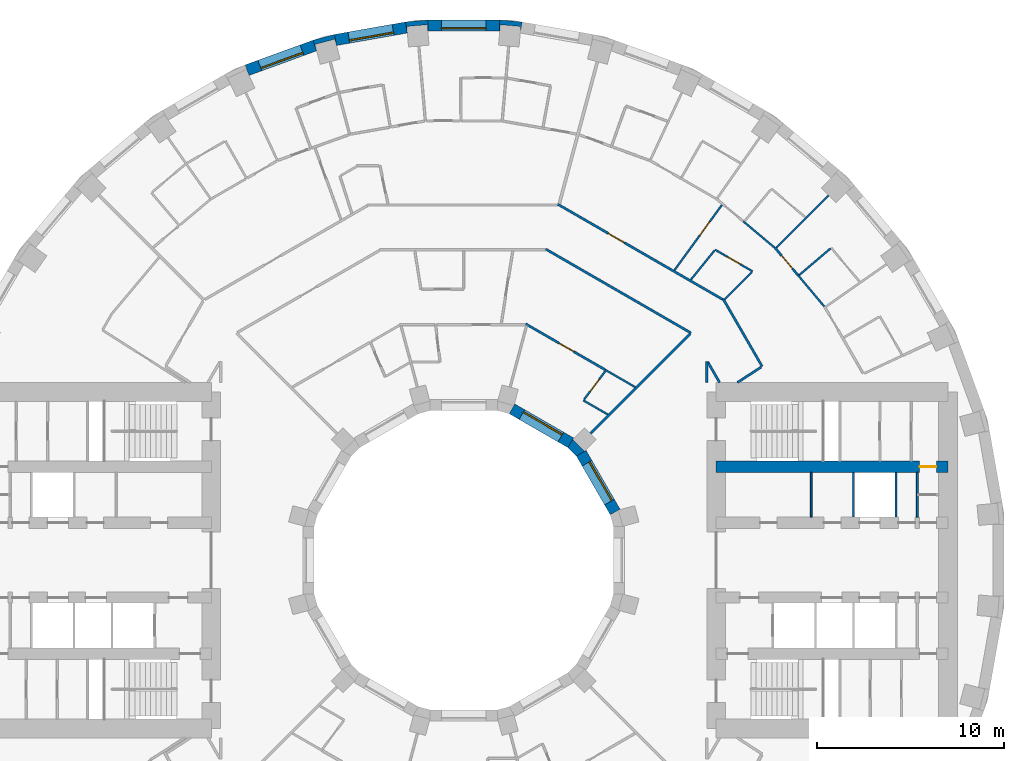
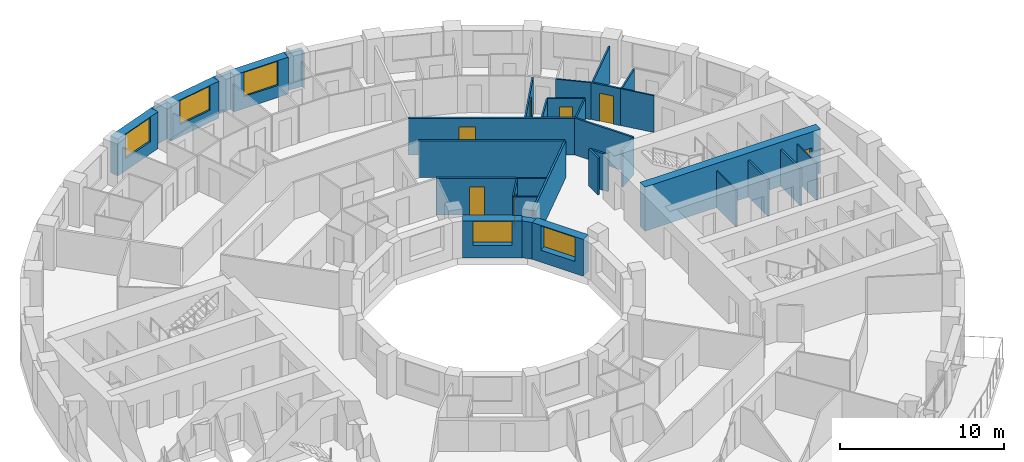
# One storey, part 13 of 16: 34 walls, 7 doors, 5 windows, 12 openings.
"""IFC4 building model written with IfcOpenShell, lengths in metres."""

from ifc_helpers import new_model, si_unit, direction, frame, frame_2d, origin, place, context, subcontext, project, spatial, polyline, rectangle, outline, extrude, material, layer, layer_set, type_object, element, fill, save


model = new_model("IFC4")

# Units and contexts
model_context = context("Model", 3, precision=1e-05, world=origin(), true_north=direction((0.0, 1.0)))
body_context = subcontext(model_context, "Body", "Model", "MODEL_VIEW")
ifc_project = project(units=[si_unit("LENGTHUNIT", "METRE"), si_unit("AREAUNIT", "SQUARE_METRE"), si_unit("VOLUMEUNIT", "CUBIC_METRE"), si_unit("PLANEANGLEUNIT", "RADIAN"), si_unit("MASSUNIT", "GRAM", prefix="KILO")], contexts=[model_context])

# Site, building, storey
site_placement = place(None, origin())
site = spatial("IfcSite", under=ifc_project, at=site_placement, CompositionType="ELEMENT")
building_placement = place(site_placement, origin())
building = spatial("IfcBuilding", under=site, at=building_placement, Name="Saqina Gate Tower", CompositionType="ELEMENT")
storey_placement = place(building_placement, frame((0.0, 0.0, 26.300048828125)))
storey = spatial("IfcBuildingStorey", under=building, at=storey_placement, Name="L06", CompositionType="ELEMENT", Elevation=26.300048828125)

# Walls
ifc_material_1 = material(Name="Brick masonry (red)", Category="masonry")
wall_type_1 = type_object("IfcWallType", Name="BRICK PIER COPING RED", PredefinedType="SOLIDWALL", material=ifc_material_1)
wall_1_placement = place(storey_placement, origin())
element("IfcWall", 1, at=wall_1_placement, inside=storey, type_object=wall_type_1, Name="Pier cap L06 column 9", PredefinedType="SOLIDWALL", context=body_context, shape_type="SweptSolid", body=[
    extrude(outline(polyline([(3.122802734375, 28.78466796875), (1.9228515625, 28.8896484375), (1.9228515625, 28.28955078125), (1.95361328125, 28.638671875), (3.04931640625, 28.54296875), (3.018798828125, 28.19384765625), (3.122802734375, 28.78466796875)])), origin(), (0.0, 0.0, 1.0), 2.75),
])
wall_2_placement = place(storey_placement, origin())
element("IfcWall", 2, at=wall_2_placement, inside=storey, type_object=wall_type_1, Name="Pier cap L06 column 10", PredefinedType="SOLIDWALL", context=body_context, shape_type="SweptSolid", body=[
    extrude(outline(polyline([(-1.9228515625, 28.8896484375), (-3.122802734375, 28.78466796875), (-3.018798828125, 28.19384765625), (-3.04931640625, 28.54296875), (-1.95361328125, 28.638671875), (-1.9228515625, 28.28955078125), (-1.9228515625, 28.8896484375)])), origin(), (0.0, 0.0, 1.0), 2.75),
])
wall_3_placement = place(storey_placement, origin())
element("IfcWall", 3, at=wall_3_placement, inside=storey, type_object=wall_type_1, Name="Pier cap L06 column 11", PredefinedType="SOLIDWALL", context=body_context, shape_type="SweptSolid", body=[
    extrude(outline(polyline([(-6.910400390625, 28.11669921875), (-8.073974609375, 27.80517578125), (-7.86865234375, 27.2412109375), (-7.95947265625, 27.57958984375), (-6.896728515625, 27.864501953125), (-6.80615234375, 27.52587890625), (-6.910400390625, 28.11669921875)])), origin(), (0.0, 0.0, 1.0), 2.75),
])
ifc_material_2 = material(Name="Gypsum board on steel studs", Category="steel")
ifc_layer_1 = layer(ifc_material_2, 0.10009765625)
ifc_layer_set_1 = layer_set([ifc_layer_1], Name="CORE PARTITION")
wall_type_2 = type_object("IfcWallType", Name="CORE PARTITION", PredefinedType="PARTITIONING", material=ifc_layer_set_1)
for number, where, z_axis, x_axis, name in (
    (4, (18.582763671875, 2.300048828125, 0.0), (0.0, 0.0, 1.0), (0.0, 1.0, 0.0), "L06-CP-E01"),
    (5, (24.260009765625, 2.300048828125, 0.0), (0.0, 0.0, 1.0), (0.0, 1.0, 0.0), "L06-CP-E04"),
):
    element("IfcWall", number, at=place(storey_placement, frame(where, z_axis=z_axis, x_axis=x_axis)), inside=storey, type_object=wall_type_2, Name=name, PredefinedType="PARTITIONING", context=body_context, shape_type="SweptSolid", body=[
        extrude(rectangle(XDim=2.39990234375, YDim=0.10009765625, at=frame_2d((1.199951171875, 0.0))), origin(), (0.0, 0.0, 1.0), 2.75),
    ])

# Wall, opening, window
ifc_material_3 = material(Name="Brick masonry (red)", Category="masonry")
ifc_layer_2 = layer(ifc_material_3, 0.60009765625)
ifc_layer_set_2 = layer_set([ifc_layer_2], Name="FW-BRICK-RED")
wall_type_3 = type_object("IfcWallType", Name="FW-BRICK-RED", PredefinedType="SOLIDWALL", material=ifc_layer_set_2)
wall_4_placement = place(storey_placement, frame((1.9228515625, 28.589599609375, 0.0), z_axis=(0.0, 0.0, 1.0), x_axis=(-1.0, 0.0, 0.0)))
wall_4 = element("IfcWall", 6, at=wall_4_placement, inside=storey, type_object=wall_type_3, Name="Facade wall L06 facet 9", PredefinedType="SOLIDWALL", context=body_context, shape_type="SweptSolid", body=[
    extrude(rectangle(XDim=3.845703125, YDim=0.60009765625, at=frame_2d((1.9228515625, 0.0))), origin(), (0.0, 0.0, 1.0), 2.75),
])
opening_1_placement = place(wall_4_placement, frame((0.722900390625, 0.0, 0.89990234375)))
opening_1 = element("IfcOpeningElement", 7, at=opening_1_placement, cuts=wall_4, Name="Opening G01-W07", PredefinedType="OPENING", context=body_context, shape_type="SweptSolid", body=[
    extrude(rectangle(XDim=2.39990234375, YDim=1.800048828125, at=frame_2d((1.199951171875, 0.89990234375))), frame((0.0, 0.31201171875, 0.0), z_axis=(0.0, -1.0, 0.0), x_axis=(1.0, 0.0, 0.0)), (0.0, 0.0, 1.0), 0.6240234375),
])
ifc_material_4 = material(Name="Aluminium glazing", Category="aluminium")
window_type_1 = type_object("IfcWindowType", Name="WN-A", PartitioningType="SINGLE_PANEL", PredefinedType="WINDOW", material=ifc_material_4)
window_1_placement = place(opening_1_placement, origin())
window_1 = element("IfcWindow", 8, at=window_1_placement, inside=storey, type_object=window_type_1, Name="Window L06 facet 9", OverallHeight=1.800048828125, OverallWidth=2.39990234375, PartitioningType="SINGLE_PANEL", PredefinedType="WINDOW", context=body_context, shape_type="SweptSolid", body=[
    extrude(rectangle(XDim=2.39990234375, YDim=1.800048828125, at=frame_2d((1.199951171875, 0.89990234375))), frame((0.0, 0.179931640625, 0.0), z_axis=(0.0, -1.0, 0.0), x_axis=(1.0, 0.0, 0.0)), (0.0, 0.0, 1.0), 0.06005859375),
])
fill(opening_1, window_1)

wall_5_placement = place(storey_placement, frame((-3.07080078125, 28.4892578125, 0.0), z_axis=(0.0, 0.0, 1.0), x_axis=(-0.984800809218, -0.173687553279, 0.0)))
wall_5 = element("IfcWall", 9, at=wall_5_placement, inside=storey, type_object=wall_type_3, Name="Facade wall L06 facet 10", PredefinedType="SOLIDWALL", context=body_context, shape_type="SweptSolid", body=[
    extrude(rectangle(XDim=3.845703125, YDim=0.60009765625, at=frame_2d((1.9228515625, 0.0))), origin(), (0.0, 0.0, 1.0), 2.75),
])
opening_2_placement = place(wall_5_placement, frame((0.722900390625, 0.0, 0.89990234375)))
opening_2 = element("IfcOpeningElement", 10, at=opening_2_placement, cuts=wall_5, Name="Opening G01-W08", PredefinedType="OPENING", context=body_context, shape_type="SweptSolid", body=[
    extrude(rectangle(XDim=2.39990234375, YDim=1.800048828125, at=frame_2d((1.199951171875, 0.89990234375))), frame((0.0, 0.31201171875, 0.0), z_axis=(0.0, -1.0, 0.0), x_axis=(1.0, 0.0, 0.0)), (0.0, 0.0, 1.0), 0.6240234375),
])
window_2_placement = place(opening_2_placement, origin())
window_2 = element("IfcWindow", 11, at=window_2_placement, inside=storey, type_object=window_type_1, Name="Window L06 facet 10", OverallHeight=1.800048828125, OverallWidth=2.39990234375, PartitioningType="SINGLE_PANEL", PredefinedType="WINDOW", context=body_context, shape_type="SweptSolid", body=[
    extrude(rectangle(XDim=2.39990234375, YDim=1.800048828125, at=frame_2d((1.199951171875, 0.89990234375))), frame((0.0, 0.179931640625, 0.0), z_axis=(0.0, -1.0, 0.0), x_axis=(1.0, 0.0, 0.0)), (0.0, 0.0, 1.0), 0.06005859375),
])
fill(opening_2, window_2)

wall_6_placement = place(storey_placement, frame((-7.97119140625, 27.523193359375, 0.0), z_axis=(0.0, 0.0, 1.0), x_axis=(-0.939689588564, -0.342028474173, 0.0)))
wall_6 = element("IfcWall", 12, at=wall_6_placement, inside=storey, type_object=wall_type_3, Name="Facade wall L06 facet 11", PredefinedType="SOLIDWALL", context=body_context, shape_type="SweptSolid", body=[
    extrude(rectangle(XDim=3.845947265625, YDim=0.60009765625, at=frame_2d((1.9228515625, 0.0))), origin(), (0.0, 0.0, 1.0), 2.75),
])
opening_3_placement = place(wall_6_placement, frame((0.722900390625, 0.0, 0.89990234375)))
opening_3 = element("IfcOpeningElement", 13, at=opening_3_placement, cuts=wall_6, Name="Opening G01-W09", PredefinedType="OPENING", context=body_context, shape_type="SweptSolid", body=[
    extrude(rectangle(XDim=2.39990234375, YDim=1.800048828125, at=frame_2d((1.199951171875, 0.89990234375))), frame((0.0, 0.31201171875, 0.0), z_axis=(0.0, -1.0, 0.0), x_axis=(1.0, 0.0, 0.0)), (0.0, 0.0, 1.0), 0.6240234375),
])
window_3_placement = place(opening_3_placement, origin())
window_3 = element("IfcWindow", 14, at=window_3_placement, inside=storey, type_object=window_type_1, Name="Window L06 facet 11", OverallHeight=1.800048828125, OverallWidth=2.39990234375, PartitioningType="SINGLE_PANEL", PredefinedType="WINDOW", context=body_context, shape_type="SweptSolid", body=[
    extrude(rectangle(XDim=2.39990234375, YDim=1.800048828125, at=frame_2d((1.199951171875, 0.89990234375))), frame((0.0, 0.179931640625, 0.0), z_axis=(0.0, -1.0, 0.0), x_axis=(1.0, 0.0, 0.0)), (0.0, 0.0, 1.0), 0.06005859375),
])
fill(opening_3, window_3)

ifc_material_5 = material(Name="Glazed ceramic tile", Category="ceramic")
ifc_layer_3 = layer(ifc_material_5, 0.60009765625)
ifc_layer_set_3 = layer_set([ifc_layer_3], Name="IW-TILE")
wall_type_4 = type_object("IfcWallType", Name="IW-TILE", PredefinedType="SOLIDWALL", material=ifc_layer_set_3)
wall_7_placement = place(storey_placement, frame((8.09423828125, 2.580322265625, 0.0), z_axis=(0.0, 0.0, 1.0), x_axis=(-0.499992569217, 0.866029693906, 0.0)))
wall_7 = element("IfcWall", 15, at=wall_7_placement, inside=storey, type_object=wall_type_4, Name="Well wall L06 facet 1", PredefinedType="SOLIDWALL", context=body_context, shape_type="SweptSolid", body=[
    extrude(rectangle(XDim=3.625, YDim=0.60009765625, at=frame_2d((1.8125, 0.0))), origin(), (0.0, 0.0, 1.0), 2.75),
])
opening_4_placement = place(wall_7_placement, frame((0.612548828125, 0.0, 0.89990234375)))
opening_4 = element("IfcOpeningElement", 16, at=opening_4_placement, cuts=wall_7, Name="Opening G01-W23", PredefinedType="OPENING", context=body_context, shape_type="SweptSolid", body=[
    extrude(rectangle(XDim=2.39990234375, YDim=1.800048828125, at=frame_2d((1.199951171875, 0.89990234375))), frame((0.0, 0.31201171875, 0.0), z_axis=(0.0, -1.0, 0.0), x_axis=(1.0, 0.0, 0.0)), (0.0, 0.0, 1.0), 0.6240234375),
])
ifc_material_6 = material(Name="Aluminium glazing", Category="aluminium")
window_type_2 = type_object("IfcWindowType", Name="WN-W", PartitioningType="SINGLE_PANEL", PredefinedType="WINDOW", material=ifc_material_6)
window_4_placement = place(opening_4_placement, origin())
window_4 = element("IfcWindow", 17, at=window_4_placement, inside=storey, type_object=window_type_2, Name="Well window L06 facet 1", OverallHeight=1.800048828125, OverallWidth=2.39990234375, PartitioningType="SINGLE_PANEL", PredefinedType="WINDOW", context=body_context, shape_type="SweptSolid", body=[
    extrude(rectangle(XDim=2.39990234375, YDim=1.800048828125, at=frame_2d((1.199951171875, 0.89990234375))), frame((0.0, -0.119873046875, 0.0), z_axis=(0.0, -1.0, 0.0), x_axis=(1.0, 0.0, 0.0)), (0.0, 0.0, 1.0), 0.06005859375),
])
fill(opening_4, window_4)

wall_8_placement = place(storey_placement, frame((5.7197265625, 6.28173828125, 0.0), z_axis=(0.0, 0.0, 1.0), x_axis=(-0.866029693906, 0.499992569217, 0.0)))
wall_8 = element("IfcWall", 18, at=wall_8_placement, inside=storey, type_object=wall_type_4, Name="Well wall L06 facet 2", PredefinedType="SOLIDWALL", context=body_context, shape_type="SweptSolid", body=[
    extrude(rectangle(XDim=3.625, YDim=0.60009765625, at=frame_2d((1.8125, 0.0))), origin(), (0.0, 0.0, 1.0), 2.75),
])
opening_5_placement = place(wall_8_placement, frame((0.612548828125, 0.0, 0.89990234375)))
opening_5 = element("IfcOpeningElement", 19, at=opening_5_placement, cuts=wall_8, Name="Opening G01-W24", PredefinedType="OPENING", context=body_context, shape_type="SweptSolid", body=[
    extrude(rectangle(XDim=2.39990234375, YDim=1.800048828125, at=frame_2d((1.199951171875, 0.89990234375))), frame((0.0, 0.31201171875, 0.0), z_axis=(0.0, -1.0, 0.0), x_axis=(1.0, 0.0, 0.0)), (0.0, 0.0, 1.0), 0.6240234375),
])
window_5_placement = place(opening_5_placement, origin())
window_5 = element("IfcWindow", 20, at=window_5_placement, inside=storey, type_object=window_type_2, Name="Well window L06 facet 2", OverallHeight=1.800048828125, OverallWidth=2.39990234375, PartitioningType="SINGLE_PANEL", PredefinedType="WINDOW", context=body_context, shape_type="SweptSolid", body=[
    extrude(rectangle(XDim=2.39990234375, YDim=1.800048828125, at=frame_2d((1.199951171875, 0.89990234375))), frame((0.0, -0.119873046875, 0.0), z_axis=(0.0, -1.0, 0.0), x_axis=(1.0, 0.0, 0.0)), (0.0, 0.0, 1.0), 0.06005859375),
])
fill(opening_5, window_5)

# Walls
ifc_material_7 = material(Name="Gypsum board on steel studs, 100 mm", Category="steel")
ifc_layer_4 = layer(ifc_material_7, 0.10009765625)
ifc_layer_set_4 = layer_set([ifc_layer_4], Name="PARTITION 100")
wall_type_5 = type_object("IfcWallType", Name="PARTITION 100", PredefinedType="PARTITIONING", material=ifc_layer_set_4)
wall_9_placement = place(storey_placement, frame((17.865478515625, 15.251953125, 0.0), z_axis=(0.0, 0.0, 1.0), x_axis=(0.642711379907, -0.766108401036, 0.0)))
element("IfcWall", 21, at=wall_9_placement, inside=storey, type_object=wall_type_5, Name="PARTITION PW3-29", PredefinedType="PARTITIONING", context=body_context, shape_type="SweptSolid", body=[
    extrude(rectangle(XDim=2.192138671875, YDim=0.10009765625, at=frame_2d((1.09619140625, 0.0))), origin(), (0.0, 0.0, 1.0), 2.75),
])
wall_10_placement = place(storey_placement, frame((14.945556640625, 18.122802734375, 0.0), z_axis=(0.0, 0.0, 1.0), x_axis=(0.765889072534, -0.642972727705, 0.0)))
element("IfcWall", 22, at=wall_10_placement, inside=storey, type_object=wall_type_5, Name="PARTITION PW3-34", PredefinedType="PARTITIONING", context=body_context, shape_type="SweptSolid", body=[
    extrude(rectangle(XDim=2.19287109375, YDim=0.10009765625, at=frame_2d((1.096435546875, 0.0))), origin(), (0.0, 0.0, 1.0), 2.75),
])
wall_11_placement = place(storey_placement, frame((6.39697265625, 8.5458984375, 0.0), z_axis=(0.0, 0.0, 1.0), x_axis=(0.866317379693, -0.499493941547, 0.0)))
element("IfcWall", 23, at=wall_11_placement, inside=storey, type_object=wall_type_5, Name="PARTITION PW3-41", PredefinedType="PARTITIONING", context=body_context, shape_type="SweptSolid", body=[
    extrude(rectangle(XDim=1.5107421875, YDim=0.10009765625, at=frame_2d((0.75537109375, 0.0))), origin(), (0.0, 0.0, 1.0), 2.75),
])
wall_12_placement = place(storey_placement, frame((7.560791015625, 10.18408203125, 0.0), z_axis=(0.0, 0.0, 1.0), x_axis=(0.866043361281, -0.499968895414, 0.0)))
element("IfcWall", 24, at=wall_12_placement, inside=storey, type_object=wall_type_5, Name="PARTITION PW3-42", PredefinedType="PARTITIONING", context=body_context, shape_type="SweptSolid", body=[
    extrude(rectangle(XDim=1.85791015625, YDim=0.10009765625, at=frame_2d((0.928955078125, 0.0))), origin(), (0.0, 0.0, 1.0), 2.75),
])

# Wall, opening, door
wall_13_placement = place(storey_placement, frame((13.44091796875, 16.60400390625, 0.0), z_axis=(0.0, 0.0, 1.0), x_axis=(0.865969595378, -0.500096650539, 0.0)))
wall_13 = element("IfcWall", 25, at=wall_13_placement, inside=storey, type_object=wall_type_5, Name="PARTITION PW3-43", PredefinedType="PARTITIONING", context=body_context, shape_type="SweptSolid", body=[
    extrude(rectangle(XDim=2.3154296875, YDim=0.10009765625, at=frame_2d((1.15771484375, 0.0))), origin(), (0.0, 0.0, 1.0), 2.75),
])
opening_6_placement = place(wall_13_placement, frame((0.7578125, 0.0, 0.0)))
opening_6 = element("IfcOpeningElement", 26, at=opening_6_placement, cuts=wall_13, Name="Opening G01-D06", PredefinedType="OPENING", context=body_context, shape_type="SweptSolid", body=[
    extrude(rectangle(XDim=0.800048828125, YDim=2.10009765625, at=frame_2d((0.39990234375, 1.050048828125))), frame((0.0, 0.06201171875, 0.0), z_axis=(0.0, -1.0, 0.0), x_axis=(1.0, 0.0, 0.0)), (0.0, 0.0, 1.0), 0.1240234375),
])
ifc_material_8 = material(Name="Timber door leaf, 800 mm", Category="wood")
door_type_1 = type_object("IfcDoorType", Name="DOOR 800 TIMBER", OperationType="SINGLE_SWING_LEFT", PredefinedType="DOOR", material=ifc_material_8)
door_1_placement = place(opening_6_placement, origin())
door_1 = element("IfcDoor", 27, at=door_1_placement, inside=storey, type_object=door_type_1, Name="DOOR G01-D06", OperationType="SINGLE_SWING_RIGHT", OverallHeight=2.10009765625, OverallWidth=0.800048828125, PredefinedType="DOOR", context=body_context, shape_type="SweptSolid", body=[
    extrude(rectangle(XDim=0.800048828125, YDim=2.10009765625, at=frame_2d((0.39990234375, 1.050048828125))), frame((0.0, 0.02490234375, 0.0), z_axis=(0.0, -1.0, 0.0), x_axis=(1.0, 0.0, 0.0)), (0.0, 0.0, 1.0), 0.050048828125),
])
fill(opening_6, door_1)

# Walls
wall_14_placement = place(storey_placement, frame((17.93603515625, 15.246337890625, 0.0), z_axis=(0.0, 0.0, 1.0), x_axis=(0.76174213422, 0.647880329192, 0.0)))
element("IfcWall", 28, at=wall_14_placement, inside=storey, type_object=wall_type_5, Name="PARTITION PW3-89", PredefinedType="PARTITIONING", context=body_context, shape_type="SweptSolid", body=[
    extrude(rectangle(XDim=2.199951171875, YDim=0.10009765625, at=frame_2d((1.10009765625, 0.0))), origin(), (0.0, 0.0, 1.0), 2.75),
])
wall_15_placement = place(storey_placement, frame((13.953125, 13.953125, 0.0), z_axis=(0.0, 0.0, 1.0), x_axis=(0.707106781187, 0.707106781187, 0.0)))
element("IfcWall", 29, at=wall_15_placement, inside=storey, type_object=wall_type_5, Name="PARTITION PW3-90", PredefinedType="PARTITIONING", context=body_context, shape_type="SweptSolid", body=[
    extrude(rectangle(XDim=2.061279296875, YDim=0.10009765625, at=frame_2d((1.03076171875, 0.0))), origin(), (0.0, 0.0, 1.0), 2.75),
])
wall_16_placement = place(storey_placement, frame((16.71728515625, 16.71728515625, 0.0), z_axis=(0.0, 0.0, 1.0), x_axis=(0.707106781187, 0.707106781187, 0.0)))
element("IfcWall", 30, at=wall_16_placement, inside=storey, type_object=wall_type_5, Name="PARTITION PW3-91", PredefinedType="PARTITIONING", context=body_context, shape_type="SweptSolid", body=[
    extrude(rectangle(XDim=3.9482421875, YDim=0.10009765625, at=frame_2d((1.97412109375, 0.0))), origin(), (0.0, 0.0, 1.0), 2.75),
])
wall_17_placement = place(storey_placement, frame((12.142578125, 15.0, 0.0), z_axis=(0.0, 0.0, 1.0), x_axis=(0.629135445443, 0.777295691026, 0.0)))
element("IfcWall", 31, at=wall_17_placement, inside=storey, type_object=wall_type_5, Name="PARTITION PW3-95", PredefinedType="PARTITIONING", context=body_context, shape_type="SweptSolid", body=[
    extrude(rectangle(XDim=2.013671875, YDim=0.10009765625, at=frame_2d((1.0068359375, 0.0))), origin(), (0.0, 0.0, 1.0), 2.75),
])

# Wall, opening, door
wall_18_placement = place(storey_placement, frame((6.427001953125, 8.5859375, 0.0), z_axis=(0.0, 0.0, 1.0), x_axis=(0.599137140235, 0.800646418334, 0.0)))
wall_18 = element("IfcWall", 32, at=wall_18_placement, inside=storey, type_object=wall_type_5, Name="PARTITION PW3-97", PredefinedType="PARTITIONING", context=body_context, shape_type="SweptSolid", body=[
    extrude(rectangle(XDim=1.902099609375, YDim=0.10009765625, at=frame_2d((0.951171875, 0.0))), origin(), (0.0, 0.0, 1.0), 2.75),
])
opening_7_placement = place(wall_18_placement, frame((0.557373046875, 0.0, 0.0)))
opening_7 = element("IfcOpeningElement", 33, at=opening_7_placement, cuts=wall_18, Name="Opening G01-D08", PredefinedType="OPENING", context=body_context, shape_type="SweptSolid", body=[
    extrude(rectangle(XDim=0.800048828125, YDim=2.10009765625, at=frame_2d((0.39990234375, 1.050048828125))), frame((0.0, 0.06201171875, 0.0), z_axis=(0.0, -1.0, 0.0), x_axis=(1.0, 0.0, 0.0)), (0.0, 0.0, 1.0), 0.1240234375),
])
door_2_placement = place(opening_7_placement, origin())
door_2 = element("IfcDoor", 34, at=door_2_placement, inside=storey, type_object=door_type_1, Name="DOOR G01-D08", OperationType="SINGLE_SWING_RIGHT", OverallHeight=2.10009765625, OverallWidth=0.800048828125, PredefinedType="DOOR", context=body_context, shape_type="SweptSolid", body=[
    extrude(rectangle(XDim=0.800048828125, YDim=2.10009765625, at=frame_2d((0.39990234375, 1.050048828125))), frame((0.0, 0.02490234375, 0.0), z_axis=(0.0, -1.0, 0.0), x_axis=(1.0, 0.0, 0.0)), (0.0, 0.0, 1.0), 0.050048828125),
])
fill(opening_7, door_2)

wall_19_placement = place(storey_placement, frame((11.265869140625, 15.5068359375, 0.0), z_axis=(0.0, 0.0, 1.0), x_axis=(0.587926223092, 0.808914554326, 0.0)))
wall_19 = element("IfcWall", 35, at=wall_19_placement, inside=storey, type_object=wall_type_5, Name="PARTITION PW3-98", PredefinedType="PARTITIONING", context=body_context, shape_type="SweptSolid", body=[
    extrude(rectangle(XDim=4.3173828125, YDim=0.10009765625, at=frame_2d((2.15869140625, 0.0))), origin(), (0.0, 0.0, 1.0), 2.75),
])
opening_8_placement = place(wall_19_placement, frame((2.30859375, 0.0, 0.0)))
opening_8 = element("IfcOpeningElement", 36, at=opening_8_placement, cuts=wall_19, Name="Opening G01-D09", PredefinedType="OPENING", context=body_context, shape_type="SweptSolid", body=[
    extrude(rectangle(XDim=0.89990234375, YDim=2.10009765625, at=frame_2d((0.449951171875, 1.050048828125))), frame((0.0, 0.06201171875, 0.0), z_axis=(0.0, -1.0, 0.0), x_axis=(1.0, 0.0, 0.0)), (0.0, 0.0, 1.0), 0.1240234375),
])
ifc_material_9 = material(Name="Timber door leaf, 900 mm", Category="wood")
door_type_2 = type_object("IfcDoorType", Name="DOOR 900 TIMBER", OperationType="SINGLE_SWING_LEFT", PredefinedType="DOOR", material=ifc_material_9)
door_3_placement = place(opening_8_placement, frame((0.89990234375, 0.0, 0.0), z_axis=(0.0, 0.0, 1.0), x_axis=(-1.0, 0.0, 0.0)))
door_3 = element("IfcDoor", 37, at=door_3_placement, inside=storey, type_object=door_type_2, Name="DOOR G01-D09", OperationType="SINGLE_SWING_LEFT", OverallHeight=2.10009765625, OverallWidth=0.89990234375, PredefinedType="DOOR", context=body_context, shape_type="SweptSolid", body=[
    extrude(rectangle(XDim=0.89990234375, YDim=2.10009765625, at=frame_2d((0.449951171875, 1.050048828125))), frame((0.0, 0.02490234375, 0.0), z_axis=(0.0, -1.0, 0.0), x_axis=(1.0, 0.0, 0.0)), (0.0, 0.0, 1.0), 0.050048828125),
])
fill(opening_8, door_3)

# Walls
ifc_material_10 = material(Name="Gypsum board on steel studs, 125 mm, fire rated", Category="steel")
ifc_layer_5 = layer(ifc_material_10, 0.125)
ifc_layer_set_5 = layer_set([ifc_layer_5], Name="PARTITION EI 30 125")
wall_type_6 = type_object("IfcWallType", Name="PARTITION EI 30 125", PredefinedType="PARTITIONING", material=ifc_layer_set_5)
wall_20_placement = place(storey_placement, frame((13.0400390625, 10.61376953125, 0.0), z_axis=(0.0, 0.0, 1.0), x_axis=(0.500018234033, -0.866014876105, 0.0)))
element("IfcWall", 38, at=wall_20_placement, inside=storey, type_object=wall_type_6, Name="PARTITION PW1-04", PredefinedType="PARTITIONING", context=body_context, shape_type="SweptSolid", body=[
    extrude(rectangle(XDim=1.2861328125, YDim=0.125, at=frame_2d((0.64306640625, 0.0))), origin(), (0.0, 0.0, 1.0), 2.75),
])
wall_21_placement = place(storey_placement, frame((13.872802734375, 13.971435546875, 0.0), z_axis=(0.0, 0.0, 1.0), x_axis=(0.500063859158, -0.865988531543, 0.0)))
element("IfcWall", 39, at=wall_21_placement, inside=storey, type_object=wall_type_6, Name="PARTITION PW1-05", PredefinedType="PARTITIONING", context=body_context, shape_type="SweptSolid", body=[
    extrude(rectangle(XDim=4.16796875, YDim=0.125, at=frame_2d((2.083984375, 0.0))), origin(), (0.0, 0.0, 1.0), 2.75),
])

# Wall, opening, door
wall_22_placement = place(storey_placement, frame((16.632080078125, 16.7216796875, 0.0), z_axis=(0.0, 0.0, 1.0), x_axis=(0.64304586183, -0.765827669638, 0.0)))
wall_22 = element("IfcWall", 40, at=wall_22_placement, inside=storey, type_object=wall_type_6, Name="PARTITION PW1-07", PredefinedType="PARTITIONING", context=body_context, shape_type="SweptSolid", body=[
    extrude(rectangle(XDim=1.918701171875, YDim=0.125, at=frame_2d((0.95947265625, 0.0))), origin(), (0.0, 0.0, 1.0), 2.75),
])
opening_9_placement = place(wall_22_placement, frame((0.56591796875, 0.0, 0.0)))
opening_9 = element("IfcOpeningElement", 41, at=opening_9_placement, cuts=wall_22, Name="Opening G01-D04", PredefinedType="OPENING", context=body_context, shape_type="SweptSolid", body=[
    extrude(rectangle(XDim=0.89990234375, YDim=2.10009765625, at=frame_2d((0.449951171875, 1.050048828125))), frame((0.0, 0.074462890625, 0.0), z_axis=(0.0, -1.0, 0.0), x_axis=(1.0, 0.0, 0.0)), (0.0, 0.0, 1.0), 0.14892578125),
])
ifc_material_11 = material(Name="Fire door leaf EI 30, 900 mm")
door_type_3 = type_object("IfcDoorType", Name="DOOR 900 EI 30", OperationType="SINGLE_SWING_LEFT", PredefinedType="DOOR", material=ifc_material_11)
door_4_placement = place(opening_9_placement, frame((0.89990234375, 0.0, 0.0), z_axis=(0.0, 0.0, 1.0), x_axis=(-1.0, 0.0, 0.0)))
door_4 = element("IfcDoor", 42, at=door_4_placement, inside=storey, type_object=door_type_3, Name="DOOR G01-D04", OperationType="SINGLE_SWING_RIGHT", OverallHeight=2.10009765625, OverallWidth=0.89990234375, PredefinedType="DOOR", context=body_context, shape_type="SweptSolid", body=[
    extrude(rectangle(XDim=0.89990234375, YDim=2.10009765625, at=frame_2d((0.449951171875, 1.050048828125))), frame((0.0, 0.02490234375, 0.0), z_axis=(0.0, -1.0, 0.0), x_axis=(1.0, 0.0, 0.0)), (0.0, 0.0, 1.0), 0.050048828125),
])
fill(opening_9, door_4)

wall_23_placement = place(storey_placement, frame((3.3134765625, 12.635986328125, 0.0), z_axis=(0.0, 0.0, 1.0), x_axis=(0.86605046449, -0.499956591072, 0.0)))
wall_23 = element("IfcWall", 43, at=wall_23_placement, inside=storey, type_object=wall_type_6, Name="PARTITION PW1-17", PredefinedType="PARTITIONING", context=body_context, shape_type="SweptSolid", body=[
    extrude(rectangle(XDim=4.904296875, YDim=0.125, at=frame_2d((2.4521484375, 0.0))), origin(), (0.0, 0.0, 1.0), 2.75),
])
opening_10_placement = place(wall_23_placement, frame((2.063232421875, 0.0, 0.0)))
opening_10 = element("IfcOpeningElement", 44, at=opening_10_placement, cuts=wall_23, Name="Opening G01-D12", PredefinedType="OPENING", context=body_context, shape_type="SweptSolid", body=[
    extrude(rectangle(XDim=0.89990234375, YDim=2.10009765625, at=frame_2d((0.449951171875, 1.050048828125))), frame((0.0, 0.074462890625, 0.0), z_axis=(0.0, -1.0, 0.0), x_axis=(1.0, 0.0, 0.0)), (0.0, 0.0, 1.0), 0.14892578125),
])
door_5_placement = place(opening_10_placement, origin())
door_5 = element("IfcDoor", 45, at=door_5_placement, inside=storey, type_object=door_type_3, Name="DOOR G01-D12", OperationType="SINGLE_SWING_RIGHT", OverallHeight=2.10009765625, OverallWidth=0.89990234375, PredefinedType="DOOR", context=body_context, shape_type="SweptSolid", body=[
    extrude(rectangle(XDim=0.89990234375, YDim=2.10009765625, at=frame_2d((0.449951171875, 1.050048828125))), frame((0.0, 0.02490234375, 0.0), z_axis=(0.0, -1.0, 0.0), x_axis=(1.0, 0.0, 0.0)), (0.0, 0.0, 1.0), 0.050048828125),
])
fill(opening_10, door_5)

# Wall
wall_24_placement = place(storey_placement, frame((4.385498046875, 16.635986328125, 0.0), z_axis=(0.0, 0.0, 1.0), x_axis=(0.866033263559, -0.499986386223, 0.0)))
element("IfcWall", 46, at=wall_24_placement, inside=storey, type_object=wall_type_6, Name="PARTITION PW1-18", PredefinedType="PARTITIONING", context=body_context, shape_type="SweptSolid", body=[
    extrude(rectangle(XDim=8.968017578125, YDim=0.125, at=frame_2d((4.48388671875, 0.0))), origin(), (0.0, 0.0, 1.0), 2.75),
])

# Wall, opening, door
wall_25_placement = place(storey_placement, frame((5.028564453125, 19.0361328125, 0.0), z_axis=(0.0, 0.0, 1.0), x_axis=(0.866024825845, -0.50000100102, 0.0)))
wall_25 = element("IfcWall", 47, at=wall_25_placement, inside=storey, type_object=wall_type_6, Name="PARTITION PW1-19", PredefinedType="PARTITIONING", context=body_context, shape_type="SweptSolid", body=[
    extrude(rectangle(XDim=10.19189453125, YDim=0.125, at=frame_2d((5.095947265625, 0.0))), origin(), (0.0, 0.0, 1.0), 2.75),
])
opening_11_placement = place(wall_25_placement, frame((3.115966796875, 0.0, 0.0)))
opening_11 = element("IfcOpeningElement", 48, at=opening_11_placement, cuts=wall_25, Name="Opening G01-D13", PredefinedType="OPENING", context=body_context, shape_type="SweptSolid", body=[
    extrude(rectangle(XDim=1.0, YDim=2.10009765625, at=frame_2d((0.5, 1.050048828125))), frame((0.0, 0.074462890625, 0.0), z_axis=(0.0, -1.0, 0.0), x_axis=(1.0, 0.0, 0.0)), (0.0, 0.0, 1.0), 0.14892578125),
])
ifc_material_12 = material(Name="Fire door leaf EI 30, 1000 mm")
door_type_4 = type_object("IfcDoorType", Name="DOOR 1000 EI 30", OperationType="SINGLE_SWING_LEFT", PredefinedType="DOOR", material=ifc_material_12)
door_6_placement = place(opening_11_placement, origin())
door_6 = element("IfcDoor", 49, at=door_6_placement, inside=storey, type_object=door_type_4, Name="DOOR G01-D13", OperationType="SINGLE_SWING_LEFT", OverallHeight=2.10009765625, OverallWidth=1.0, PredefinedType="DOOR", context=body_context, shape_type="SweptSolid", body=[
    extrude(rectangle(XDim=1.0, YDim=2.10009765625, at=frame_2d((0.5, 1.050048828125))), frame((0.0, 0.02490234375, 0.0), z_axis=(0.0, -1.0, 0.0), x_axis=(1.0, 0.0, 0.0)), (0.0, 0.0, 1.0), 0.050048828125),
])
fill(opening_11, door_6)

# Walls
wall_26_placement = place(storey_placement, frame((14.62890625, 9.5, 0.0), z_axis=(0.0, 0.0, 1.0), x_axis=(0.83882853689, 0.544395706908, 0.0)))
element("IfcWall", 50, at=wall_26_placement, inside=storey, type_object=wall_type_6, Name="PARTITION PW1-45", PredefinedType="PARTITIONING", context=body_context, shape_type="SweptSolid", body=[
    extrude(rectangle(XDim=1.520751953125, YDim=0.125, at=frame_2d((0.76025390625, 0.0))), origin(), (0.0, 0.0, 1.0), 2.75),
])
wall_27_placement = place(storey_placement, frame((6.78271484375, 6.78271484375, 0.0), z_axis=(0.0, 0.0, 1.0), x_axis=(0.707106781187, 0.707106781187, 0.0)))
element("IfcWall", 51, at=wall_27_placement, inside=storey, type_object=wall_type_6, Name="PARTITION PW1-48", PredefinedType="PARTITIONING", context=body_context, shape_type="SweptSolid", body=[
    extrude(rectangle(XDim=7.531005859375, YDim=0.125, at=frame_2d((3.765625, 0.0))), origin(), (0.0, 0.0, 1.0), 2.75),
])
wall_28_placement = place(storey_placement, frame((13.0, 9.5, 0.0), z_axis=(0.0, 0.0, 1.0), x_axis=(0.0, 1.0, 0.0)))
element("IfcWall", 52, at=wall_28_placement, inside=storey, type_object=wall_type_6, Name="PARTITION PW1-54", PredefinedType="PARTITIONING", context=body_context, shape_type="SweptSolid", body=[
    extrude(rectangle(XDim=1.12060546875, YDim=0.125, at=frame_2d((0.560302734375, 0.0))), origin(), (0.0, 0.0, 1.0), 2.75),
])
ifc_material_13 = material(Name="Autoclaved aerated concrete block", Category="concrete")
ifc_layer_6 = layer(ifc_material_13, 0.1201171875)
ifc_layer_set_6 = layer_set([ifc_layer_6], Name="SHAFT PARTITION")
wall_type_7 = type_object("IfcWallType", Name="SHAFT PARTITION", PredefinedType="PARTITIONING", material=ifc_layer_set_6)
for number, where, z_axis, x_axis, name in (
    (53, (20.840087890625, 2.300048828125, 0.0), (0.0, 0.0, 1.0), (0.0, 1.0, 0.0), "L06-CP-E02"),
    (54, (23.1201171875, 2.300048828125, 0.0), (0.0, 0.0, 1.0), (0.0, 1.0, 0.0), "L06-CP-E03"),
):
    element("IfcWall", number, at=place(storey_placement, frame(where, z_axis=z_axis, x_axis=x_axis)), inside=storey, type_object=wall_type_7, Name=name, PredefinedType="PARTITIONING", context=body_context, shape_type="SweptSolid", body=[
        extrude(rectangle(XDim=2.39990234375, YDim=0.1201171875, at=frame_2d((1.199951171875, 0.0))), origin(), (0.0, 0.0, 1.0), 2.75),
    ])

# Wall, opening, door
ifc_material_14 = material(Name="Concrete C70/85", Category="concrete")
ifc_layer_7 = layer(ifc_material_14, 0.60009765625)
ifc_layer_set_7 = layer_set([ifc_layer_7], Name="Concrete C70/85")
wall_type_8 = type_object("IfcWallType", Name="STR-CORE WALL-A-I", PredefinedType="SHEAR", material=ifc_layer_set_7)
wall_29_placement = place(storey_placement, frame((13.5, 5.0, 0.0), z_axis=(0.0, 0.0, 1.0), x_axis=(1.0, 0.0, 0.0)))
wall_29 = element("IfcWall", 55, at=wall_29_placement, inside=storey, type_object=wall_type_8, Name="CORE WALL L06 E-X1", PredefinedType="SHEAR", context=body_context, shape_type="SweptSolid", body=[
    extrude(rectangle(XDim=12.39990234375, YDim=0.60009765625, at=frame_2d((6.199951171875, 0.0))), origin(), (0.0, 0.0, 1.0), 3.300048828125),
])
opening_12_placement = place(wall_29_placement, frame((10.8798828125, 0.0, 0.0)))
opening_12 = element("IfcOpeningElement", 56, at=opening_12_placement, cuts=wall_29, Name="Opening G01-D100", PredefinedType="OPENING", context=body_context, shape_type="SweptSolid", body=[
    extrude(rectangle(XDim=0.89990234375, YDim=2.10009765625, at=frame_2d((0.449951171875, 1.050048828125))), frame((0.0, 0.31201171875, 0.0), z_axis=(0.0, -1.0, 0.0), x_axis=(1.0, 0.0, 0.0)), (0.0, 0.0, 1.0), 0.6240234375),
])
ifc_material_15 = material(Name="Steel-framed fire door leaf, EI 60", Category="steel")
door_type_5 = type_object("IfcDoorType", Name="SERVICE ROOM DOOR 900", OperationType="SINGLE_SWING_LEFT", PredefinedType="DOOR", material=ifc_material_15)
door_7_placement = place(opening_12_placement, origin())
door_7 = element("IfcDoor", 57, at=door_7_placement, inside=storey, type_object=door_type_5, Name="L06-CD-E11", OperationType="SINGLE_SWING_RIGHT", OverallHeight=2.10009765625, OverallWidth=0.89990234375, PredefinedType="DOOR", context=body_context, shape_type="SweptSolid", body=[
    extrude(rectangle(XDim=0.89990234375, YDim=2.10009765625, at=frame_2d((0.449951171875, 1.050048828125))), frame((0.0, 0.02490234375, 0.0), z_axis=(0.0, -1.0, 0.0), x_axis=(1.0, 0.0, 0.0)), (0.0, 0.0, 1.0), 0.050048828125),
])
fill(opening_12, door_7)

# Wall
ifc_material_16 = material(Name="Glazed ceramic tile", Category="ceramic")
wall_type_9 = type_object("IfcWallType", Name="TILE PIER COPING", PredefinedType="SOLIDWALL", material=ifc_material_16)
wall_30_placement = place(storey_placement, origin())
element("IfcWall", 58, at=wall_30_placement, inside=storey, type_object=wall_type_9, Name="Well pier cap L06 column 2", PredefinedType="SOLIDWALL", context=body_context, shape_type="SweptSolid", body=[
    extrude(outline(polyline([(5.821044921875, 6.45751953125), (5.569580078125, 6.02197265625), (6.02197265625, 5.569580078125), (6.45751953125, 5.821044921875), (5.821044921875, 6.45751953125)])), origin(), (0.0, 0.0, 1.0), 2.75),
])

save(model, "model.ifc")
